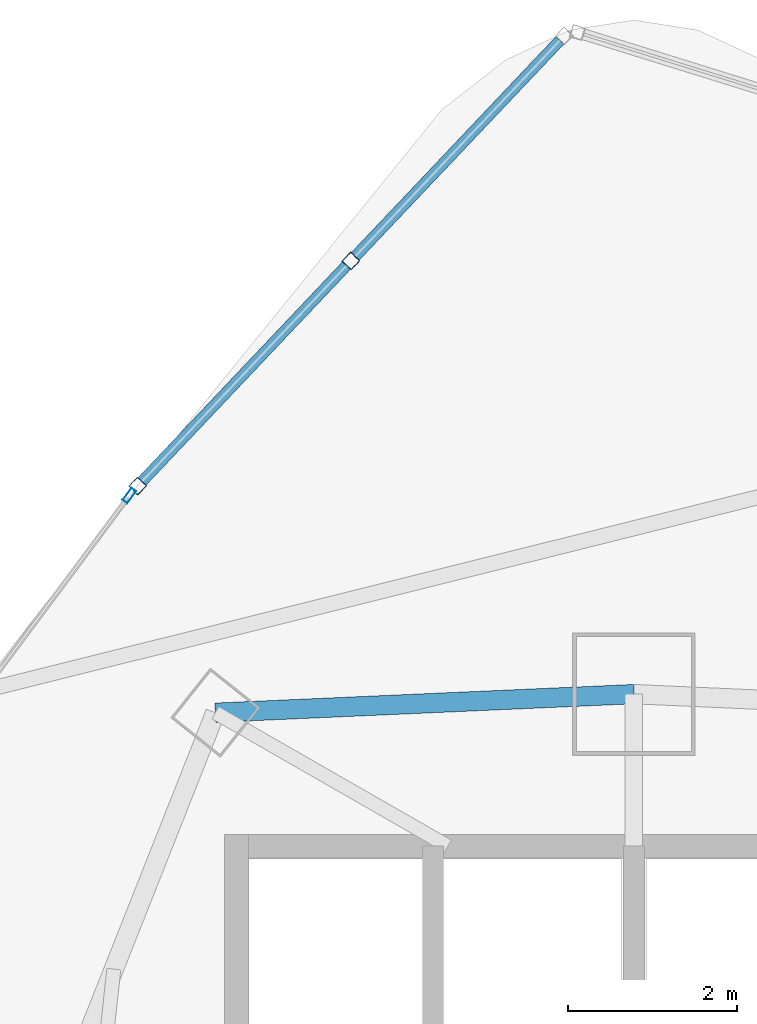
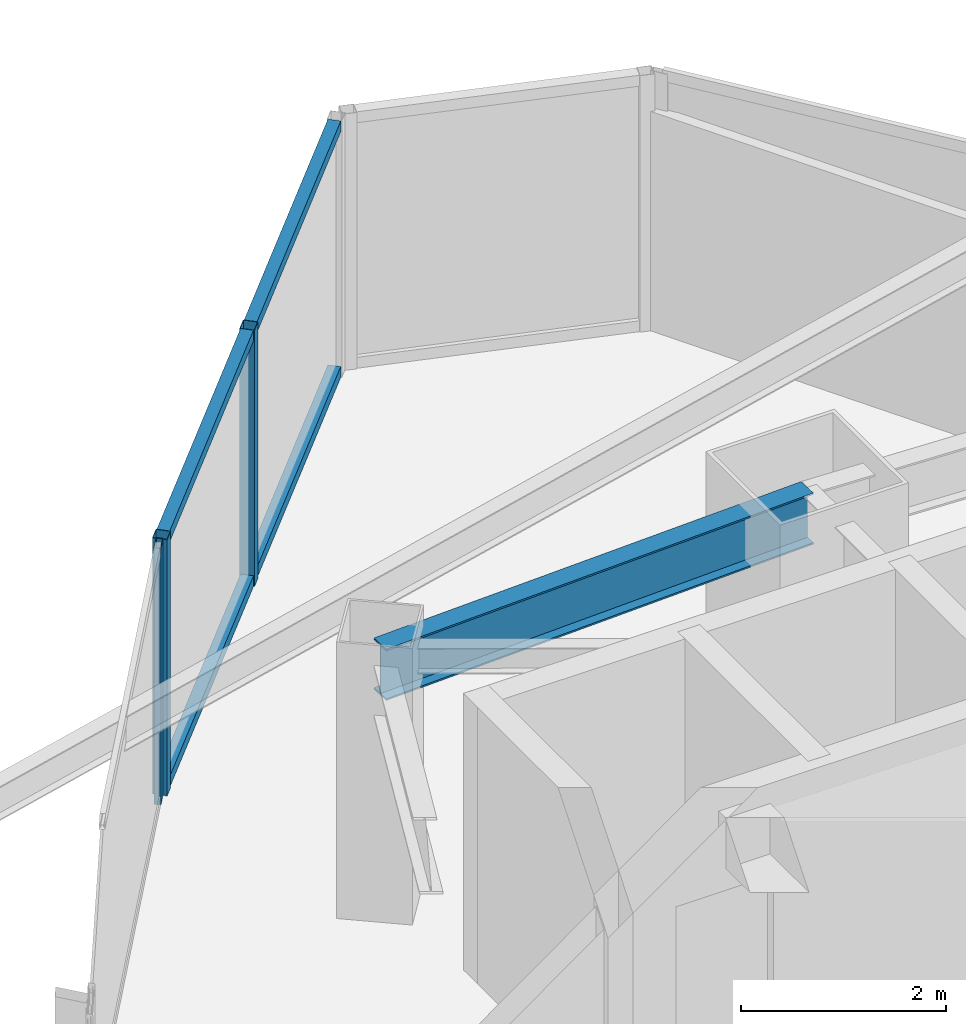
# One storey, part 22 of 33: 7 members, 1 beam, 2 elements without a shape of their own.
"""IFC4 building model written with IfcOpenShell, lengths in metres."""

from ifc_helpers import new_model, si_unit, direction, frame, origin, origin_2d, place, context, subcontext, project, spatial, hollow_rectangle, i_section, extrude, material, layer, layer_set, material_profile, profile_set, type_object, element, aggregate, save


model = new_model("IFC4")

# Units and contexts
model_context = context("Model", 3, precision=1e-05, world=origin(), true_north=direction((0.0, 1.0)))
body_context = subcontext(model_context, "Body", "Model", "MODEL_VIEW")
ifc_project = project(units=[si_unit("LENGTHUNIT", "METRE"), si_unit("AREAUNIT", "SQUARE_METRE"), si_unit("VOLUMEUNIT", "CUBIC_METRE"), si_unit("PLANEANGLEUNIT", "RADIAN"), si_unit("MASSUNIT", "GRAM", prefix="KILO")], contexts=[model_context])

# Site, building, storey
site_placement = place(None, origin())
site = spatial("IfcSite", under=ifc_project, at=site_placement, CompositionType="ELEMENT")
building_placement = place(site_placement, origin())
building = spatial("IfcBuilding", under=site, at=building_placement, Name="Orvanel Arch Residences", CompositionType="ELEMENT")
storey_placement = place(building_placement, frame((0.0, 0.0, 123.199951171875)))
storey = spatial("IfcBuildingStorey", under=building, at=storey_placement, Name="L34", CompositionType="ELEMENT", Elevation=123.199951171875)

# Curtain wall, members
ifc_material_1 = material(Name="Bronze-anodised aluminium AA6063-T6", Category="aluminium")
ifc_layer_1 = layer(ifc_material_1, 0.18994140625)
ifc_layer_set_1 = layer_set([ifc_layer_1], Name="Bronze-anodised aluminium AA6063-T6")
curtain_wall_type_1 = type_object("IfcCurtainWallType", Name="CW5-CRN-SYS", PredefinedType="NOTDEFINED", material=ifc_layer_set_1)
curtain_wall_1_placement = place(storey_placement, origin())
curtain_wall_1 = element("IfcCurtainWall", 1, at=curtain_wall_1_placement, inside=storey, type_object=curtain_wall_type_1, Name="L34 CW5-CRN-SYS Unitised Curtain Wall", PredefinedType="NOTDEFINED")
ifc_material_profile_1 = material_profile(ifc_material_1, hollow_rectangle(XDim=0.14990234375, YDim=0.14990234375, WallThickness=0.0048828125, at=origin_2d()), Name="ALU150x150x5")
ifc_profile_set_1 = profile_set([ifc_material_profile_1], Name="Bronze-anodised aluminium AA6063-T6")
member_type_1 = type_object("IfcMemberType", Name="MUL-150x150", PredefinedType="MULLION", material=ifc_profile_set_1)
member_1_placement = place(storey_placement, frame((29.653564453125, 46.52197265625, 0.0), z_axis=(0.0, 0.0, 1.0), x_axis=(0.725885986866, -0.687815043505, 0.0)))
member_1 = element("IfcMember", 2, at=member_1_placement, type_object=member_type_1, Name="CW-S5 mullion 2", PredefinedType="MULLION", context=body_context, shape_type="SweptSolid", body=[
    extrude(hollow_rectangle(XDim=0.14990234375, YDim=0.14990234375, WallThickness=0.0048828125, at=origin_2d()), origin(), (0.0, 0.0, 1.0), 3.06005859375),
])
member_2_placement = place(storey_placement, frame((27.130615234375, 43.859375, 0.0), z_axis=(0.0, 0.0, 1.0), x_axis=(0.725885986866, -0.687815043505, 0.0)))
member_2 = element("IfcMember", 3, at=member_2_placement, type_object=member_type_1, Name="CW-S5 mullion 3", PredefinedType="MULLION", context=body_context, shape_type="SweptSolid", body=[
    extrude(hollow_rectangle(XDim=0.14990234375, YDim=0.14990234375, WallThickness=0.0048828125, at=origin_2d()), origin(), (0.0, 0.0, 1.0), 3.06005859375),
])

# Curtain wall, member
ifc_layer_2 = layer(ifc_material_1, 0.179931640625)
ifc_layer_set_2 = layer_set([ifc_layer_2], Name="Bronze-anodised aluminium AA6063-T6")
curtain_wall_type_2 = type_object("IfcCurtainWallType", Name="CW3-MID-SYS", PredefinedType="NOTDEFINED", material=ifc_layer_set_2)
curtain_wall_2_placement = place(storey_placement, origin())
curtain_wall_2 = element("IfcCurtainWall", 4, at=curtain_wall_2_placement, inside=storey, type_object=curtain_wall_type_2, Name="L34 CW3-MID-SYS Unitised Curtain Wall", PredefinedType="NOTDEFINED")
ifc_material_profile_2 = material_profile(ifc_material_1, hollow_rectangle(XDim=0.070068359375, YDim=0.179931640625, WallThickness=0.00439453125, at=origin_2d()), Name="ALU180x70x4.5")
ifc_profile_set_2 = profile_set([ifc_material_profile_2], Name="Bronze-anodised aluminium AA6063-T6")
member_type_2 = type_object("IfcMemberType", Name="MUL-180x70", PredefinedType="MULLION", material=ifc_profile_set_2)
member_3_placement = place(storey_placement, frame((27.031982421875, 43.745849609375, 0.0), z_axis=(0.0, 0.0, 1.0), x_axis=(0.802116413742, -0.59716769739, 0.0)))
member_3 = element("IfcMember", 5, at=member_3_placement, type_object=member_type_2, Name="CW-S3 mullion 1", PredefinedType="MULLION", context=body_context, shape_type="SweptSolid", body=[
    extrude(hollow_rectangle(XDim=0.070068359375, YDim=0.179931640625, WallThickness=0.00439453125, at=origin_2d()), origin(), (0.0, 0.0, 1.0), 3.06005859375),
])
aggregate(curtain_wall_2, [member_3])

# Beam
ifc_material_2 = material(Name="Structural steel AS/NZS 3679.1 Grade 300 (300 MPa)", Category="steel")
ifc_material_profile_3 = material_profile(ifc_material_2, i_section(OverallWidth=0.22900390625, OverallDepth=0.612060546875, WebThickness=0.011962890625, FlangeThickness=0.01953125, at=origin_2d()), Name="610UB125")
ifc_profile_set_3 = profile_set([ifc_material_profile_3], Name="Structural steel AS/NZS 3679.1 Grade 300 (300 MPa)")
beam_type = type_object("IfcBeamType", Name="SP-610UB", PredefinedType="SPANDREL", material=ifc_profile_set_3)
beam_placement = place(storey_placement, frame((33.0, 41.39794921875, 2.754150390625), z_axis=(-0.999014049296, -0.044395149614, 0.0), x_axis=(0.044395149614, -0.999014049296, 0.0)))
element("IfcBeam", 6, at=beam_placement, inside=storey, type_object=beam_type, Name="L34 Perimeter Spandrel Beam 15", PredefinedType="SPANDREL", context=body_context, shape_type="SweptSolid", body=[
    extrude(i_section(OverallWidth=0.22900390625, OverallDepth=0.612060546875, WebThickness=0.011962890625, FlangeThickness=0.01953125, at=origin_2d()), origin(), (0.0, 0.0, 1.0), 4.954833984375),
])

# Member
ifc_material_profile_4 = material_profile(ifc_material_1, hollow_rectangle(XDim=0.1298828125, YDim=0.1298828125, WallThickness=0.00439453125, at=origin_2d()), Name="ALU130x130x4.5")
ifc_profile_set_4 = profile_set([ifc_material_profile_4], Name="Bronze-anodised aluminium AA6063-T6")
member_type_3 = type_object("IfcMemberType", Name="TRN-130x130", PredefinedType="USERDEFINED", material=ifc_profile_set_4)
member_4_placement = place(storey_placement, frame((32.124755859375, 49.130126953125, 0.06494140625), z_axis=(-0.687800467958, -0.725899797683, 0.0), x_axis=(0.725899797683, -0.687800467958, 0.0)))
member_4 = element("IfcMember", 7, at=member_4_placement, type_object=member_type_3, Name="CW-S5 transom 1.1", ObjectType="TRANSOM", PredefinedType="USERDEFINED", context=body_context, shape_type="SweptSolid", body=[
    extrude(hollow_rectangle(XDim=0.1298828125, YDim=0.1298828125, WallThickness=0.00439453125, at=origin_2d()), origin(), (0.0, 0.0, 1.0), 3.51806640625),
])

member_5_placement = place(storey_placement, frame((32.124755859375, 49.130126953125, 2.9951171875), z_axis=(-0.687800467958, -0.725899797683, 0.0), x_axis=(0.725899797683, -0.687800467958, 0.0)))
member_5 = element("IfcMember", 8, at=member_5_placement, type_object=member_type_3, Name="CW-S5 transom 1.2", ObjectType="TRANSOM", PredefinedType="USERDEFINED", context=body_context, shape_type="SweptSolid", body=[
    extrude(hollow_rectangle(XDim=0.1298828125, YDim=0.1298828125, WallThickness=0.00439453125, at=origin_2d()), origin(), (0.0, 0.0, 1.0), 3.51806640625),
])

member_6_placement = place(storey_placement, frame((29.601806640625, 46.467529296875, 0.06494140625), z_axis=(-0.687800467958, -0.725899797683, 0.0), x_axis=(0.725899797683, -0.687800467958, 0.0)))
member_6 = element("IfcMember", 9, at=member_6_placement, type_object=member_type_3, Name="CW-S5 transom 2.1", ObjectType="TRANSOM", PredefinedType="USERDEFINED", context=body_context, shape_type="SweptSolid", body=[
    extrude(hollow_rectangle(XDim=0.1298828125, YDim=0.1298828125, WallThickness=0.00439453125, at=origin_2d()), origin(), (0.0, 0.0, 1.0), 3.51806640625),
])

member_7_placement = place(storey_placement, frame((29.601806640625, 46.467529296875, 2.9951171875), z_axis=(-0.687800467958, -0.725899797683, 0.0), x_axis=(0.725899797683, -0.687800467958, 0.0)))
member_7 = element("IfcMember", 10, at=member_7_placement, type_object=member_type_3, Name="CW-S5 transom 2.2", ObjectType="TRANSOM", PredefinedType="USERDEFINED", context=body_context, shape_type="SweptSolid", body=[
    extrude(hollow_rectangle(XDim=0.1298828125, YDim=0.1298828125, WallThickness=0.00439453125, at=origin_2d()), origin(), (0.0, 0.0, 1.0), 3.51806640625),
])

aggregate(curtain_wall_1, [member_1, member_2, member_4, member_5, member_6, member_7])

save(model, "model.ifc")
